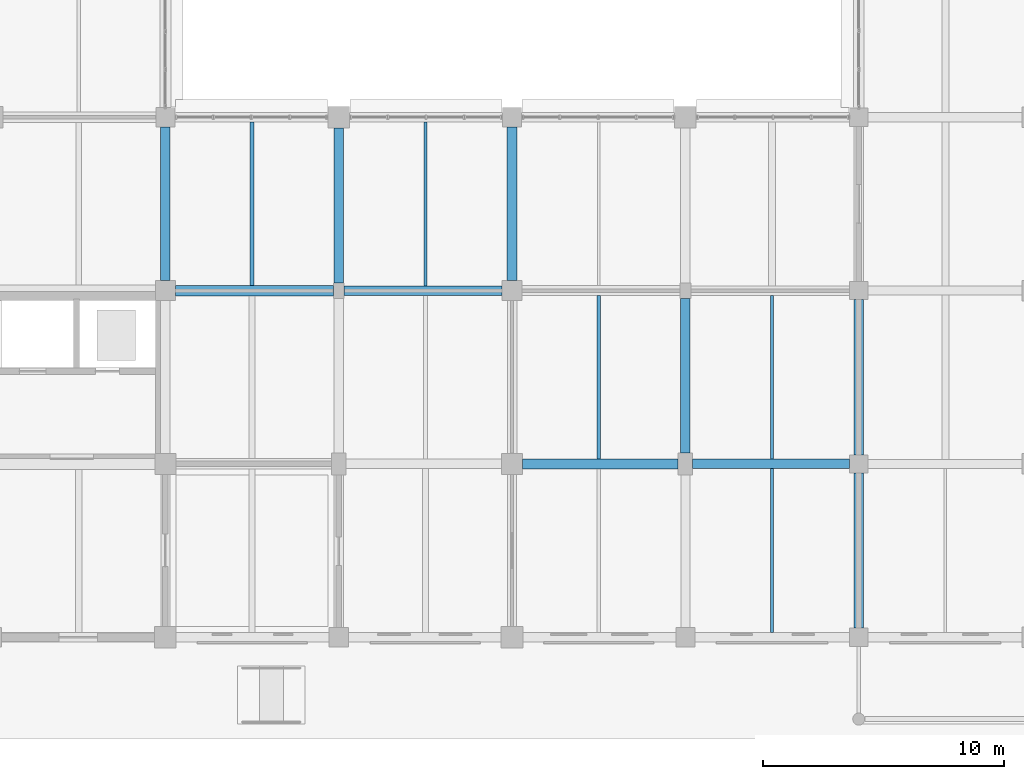
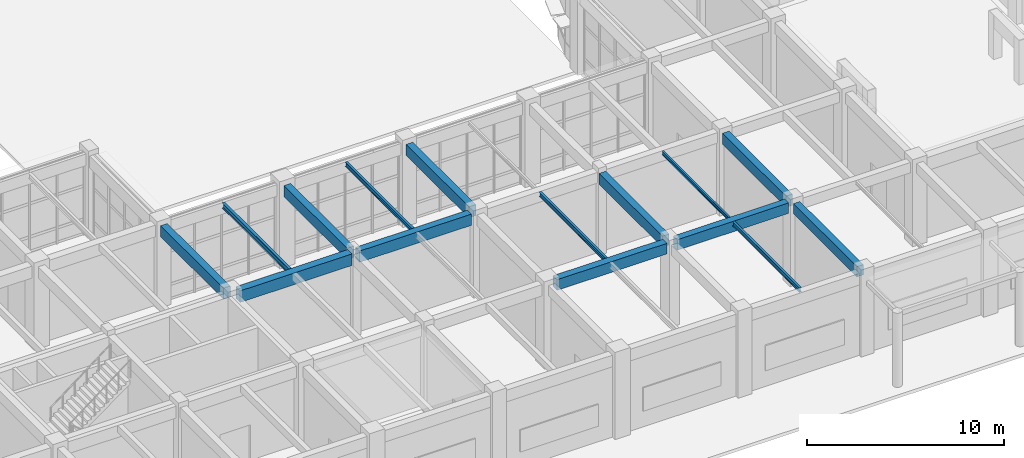
# One storey, part 16 of 160: 15 beams.
"""IFC4 building model written with IfcOpenShell, lengths in metres."""

from ifc_helpers import new_model, si_unit, direction, frame, origin, origin_2d, place, context, subcontext, project, spatial, rectangle, i_section, extrude, material, material_profile, profile_set, type_object, element, save


model = new_model("IFC4")

# Units and contexts
model_context = context("Model", 3, precision=1e-05, world=origin(), true_north=direction((0.0, 1.0)))
body_context = subcontext(model_context, "Body", "Model", "MODEL_VIEW")
ifc_project = project(units=[si_unit("LENGTHUNIT", "METRE"), si_unit("AREAUNIT", "SQUARE_METRE"), si_unit("VOLUMEUNIT", "CUBIC_METRE"), si_unit("PLANEANGLEUNIT", "RADIAN"), si_unit("MASSUNIT", "GRAM", prefix="KILO")], contexts=[model_context])

# Site, building, storey
site_placement = place(None, origin())
site = spatial("IfcSite", under=ifc_project, at=site_placement, CompositionType="ELEMENT")
building_placement = place(site_placement, origin())
building = spatial("IfcBuilding", under=site, at=building_placement, Name="Thalmaran Polytechnic", CompositionType="ELEMENT")
storey_placement = place(building_placement, origin())
storey = spatial("IfcBuildingStorey", under=building, at=storey_placement, Name="L00", CompositionType="ELEMENT", Elevation=0.0)

# Beams
ifc_material_1 = material(Name="Concrete C40/50", Category="concrete")
ifc_material_profile_1 = material_profile(ifc_material_1, rectangle(XDim=0.39990234375, YDim=0.699951171875, at=origin_2d()), Name="RC 400x700")
ifc_profile_set_1 = profile_set([ifc_material_profile_1], Name="Concrete C40/50")
beam_type_1 = type_object("IfcBeamType", Name="BM-RC05", PredefinedType="BEAM", material=ifc_profile_set_1)
beam_1_placement = place(storey_placement, frame((36.22509765625, 14.39990234375, 4.739990234375), z_axis=(1.0, 0.0, 0.0), x_axis=(0.0, 1.0, 0.0)))
element("IfcBeam", 1, at=beam_1_placement, inside=storey, type_object=beam_type_1, Name="Grid Beam B05 L00 X(5,2)", PredefinedType="BEAM", context=body_context, shape_type="SweptSolid", body=[
    extrude(rectangle(XDim=0.39990234375, YDim=0.699951171875, at=origin_2d()), origin(), (0.0, 0.0, 1.0), 6.56494140625),
])
ifc_material_profile_2 = material_profile(ifc_material_1, rectangle(XDim=0.39990234375, YDim=0.64990234375, at=origin_2d()), Name="RC 400x650")
ifc_profile_set_2 = profile_set([ifc_material_profile_2], Name="Concrete C40/50")
beam_type_2 = type_object("IfcBeamType", Name="BM-RC06", PredefinedType="BEAM", material=ifc_profile_set_2)
beam_2_placement = place(storey_placement, frame((50.699951171875, 7.199951171875, 4.764892578125), z_axis=(1.0, 0.0, 0.0), x_axis=(0.0, 1.0, 0.0)))
element("IfcBeam", 2, at=beam_2_placement, inside=storey, type_object=beam_type_2, Name="Grid Beam B06 L00 X(7,1)", PredefinedType="BEAM", context=body_context, shape_type="SweptSolid", body=[
    extrude(rectangle(XDim=0.39990234375, YDim=0.64990234375, at=origin_2d()), origin(), (0.0, 0.0, 1.0), 6.525146484375),
])
ifc_material_profile_3 = material_profile(ifc_material_1, rectangle(XDim=0.389892578125, YDim=0.68505859375, at=origin_2d()), Name="RC 390x685")
ifc_profile_set_3 = profile_set([ifc_material_profile_3], Name="Concrete C40/50")
beam_type_3 = type_object("IfcBeamType", Name="BM-RC08", PredefinedType="BEAM", material=ifc_profile_set_3)
beam_3_placement = place(storey_placement, frame((50.39990234375, 7.64990234375, 4.74755859375), z_axis=(0.0, 1.0, 0.0), x_axis=(-1.0, 0.0, 0.0)))
element("IfcBeam", 3, at=beam_3_placement, inside=storey, type_object=beam_type_3, Name="Grid Beam B08 L00 Y(7,1)", PredefinedType="BEAM", context=body_context, shape_type="SweptSolid", body=[
    extrude(rectangle(XDim=0.389892578125, YDim=0.68505859375, at=origin_2d()), origin(), (0.0, 0.0, 1.0), 6.425048828125),
])
beam_4_placement = place(storey_placement, frame((57.60009765625, 7.574951171875, 4.74755859375), z_axis=(0.0, 1.0, 0.0), x_axis=(-1.0, 0.0, 0.0)))
element("IfcBeam", 4, at=beam_4_placement, inside=storey, type_object=beam_type_3, Name="Grid Beam B08 L00 Y(8,1)", PredefinedType="BEAM", context=body_context, shape_type="SweptSolid", body=[
    extrude(rectangle(XDim=0.389892578125, YDim=0.68505859375, at=origin_2d()), origin(), (0.0, 0.0, 1.0), 6.449951171875),
])
ifc_material_2 = material(Name="Steel S355", Category="steel")
ifc_material_profile_4 = material_profile(ifc_material_2, i_section(OverallWidth=0.159912109375, OverallDepth=0.330078125, WebThickness=0.007568359375, FlangeThickness=0.011474609375, at=origin_2d()), Name="IPE 330")
ifc_profile_set_4 = profile_set([ifc_material_profile_4], Name="Steel S355")
beam_type_4 = type_object("IfcBeamType", Name="BM-SJ02", PredefinedType="JOIST", material=ifc_profile_set_4)
beam_5_placement = place(storey_placement, frame((32.39990234375, 14.6201171875, 4.925048828125), z_axis=(0.0, 1.0, 0.0), x_axis=(-1.0, 0.0, 0.0)))
element("IfcBeam", 5, at=beam_5_placement, inside=storey, type_object=beam_type_4, Name="Secondary Floor Rib SJ02 L00 (4,2)", PredefinedType="JOIST", context=body_context, shape_type="SweptSolid", body=[
    extrude(i_section(OverallWidth=0.159912109375, OverallDepth=0.330078125, WebThickness=0.007568359375, FlangeThickness=0.011474609375, at=origin_2d()), origin(), (0.0, 0.0, 1.0), 6.77978515625),
])
ifc_material_profile_5 = material_profile(ifc_material_2, i_section(OverallWidth=0.135009765625, OverallDepth=0.27001953125, WebThickness=0.006591796875, FlangeThickness=0.01025390625, at=origin_2d()), Name="IPE 270")
ifc_profile_set_5 = profile_set([ifc_material_profile_5], Name="Steel S355")
beam_type_5 = type_object("IfcBeamType", Name="BM-SJ03", PredefinedType="JOIST", material=ifc_profile_set_5)
beam_6_placement = place(storey_placement, frame((39.60009765625, 14.60009765625, 4.955078125), z_axis=(0.0, 1.0, 0.0), x_axis=(-1.0, 0.0, 0.0)))
element("IfcBeam", 6, at=beam_6_placement, inside=storey, type_object=beam_type_5, Name="Secondary Floor Rib SJ03 L00 (5,2)", PredefinedType="JOIST", context=body_context, shape_type="SweptSolid", body=[
    extrude(i_section(OverallWidth=0.135009765625, OverallDepth=0.27001953125, WebThickness=0.006591796875, FlangeThickness=0.01025390625, at=origin_2d()), origin(), (0.0, 0.0, 1.0), 6.7998046875),
])
beam_7_placement = place(storey_placement, frame((46.800048828125, 7.409912109375, 4.955078125), z_axis=(0.0, 1.0, 0.0), x_axis=(-1.0, 0.0, 0.0)))
element("IfcBeam", 7, at=beam_7_placement, inside=storey, type_object=beam_type_5, Name="Secondary Floor Rib SJ03 L00 (6,1)", PredefinedType="JOIST", context=body_context, shape_type="SweptSolid", body=[
    extrude(i_section(OverallWidth=0.135009765625, OverallDepth=0.27001953125, WebThickness=0.006591796875, FlangeThickness=0.01025390625, at=origin_2d()), origin(), (0.0, 0.0, 1.0), 6.780029296875),
])
beam_8_placement = place(storey_placement, frame((54.0, 0.199951171875, 4.955078125), z_axis=(0.0, 1.0, 0.0), x_axis=(-1.0, 0.0, 0.0)))
element("IfcBeam", 8, at=beam_8_placement, inside=storey, type_object=beam_type_5, Name="Secondary Floor Rib SJ03 L00 (7,0)", PredefinedType="JOIST", context=body_context, shape_type="SweptSolid", body=[
    extrude(i_section(OverallWidth=0.135009765625, OverallDepth=0.27001953125, WebThickness=0.006591796875, FlangeThickness=0.01025390625, at=origin_2d()), origin(), (0.0, 0.0, 1.0), 6.800048828125),
])
ifc_material_profile_6 = material_profile(ifc_material_2, i_section(OverallWidth=0.110107421875, OverallDepth=0.219970703125, WebThickness=0.005859375, FlangeThickness=0.00927734375, at=origin_2d()), Name="IPE 220")
ifc_profile_set_6 = profile_set([ifc_material_profile_6], Name="Steel S355")
beam_type_6 = type_object("IfcBeamType", Name="BM-SJ04", PredefinedType="JOIST", material=ifc_profile_set_6)
beam_9_placement = place(storey_placement, frame((54.0, 7.39990234375, 4.97998046875), z_axis=(0.0, 1.0, 0.0), x_axis=(-1.0, 0.0, 0.0)))
element("IfcBeam", 9, at=beam_9_placement, inside=storey, type_object=beam_type_6, Name="Secondary Floor Rib SJ04 L00 (7,1)", PredefinedType="JOIST", context=body_context, shape_type="SweptSolid", body=[
    extrude(i_section(OverallWidth=0.110107421875, OverallDepth=0.219970703125, WebThickness=0.005859375, FlangeThickness=0.00927734375, at=origin_2d()), origin(), (0.0, 0.0, 1.0), 6.800048828125),
])
ifc_material_profile_7 = material_profile(ifc_material_1, rectangle(XDim=0.43994140625, YDim=0.719970703125, at=origin_2d()), Name="RC 440x720")
ifc_profile_set_7 = profile_set([ifc_material_profile_7], Name="Concrete C40/50")
beam_type_7 = type_object("IfcBeamType", Name="BM-ZB03", PredefinedType="BEAM", material=ifc_profile_set_7)
beam_10_placement = place(storey_placement, frame((29.2099609375, 14.39990234375, 4.72998046875), z_axis=(1.0, 0.0, 0.0), x_axis=(0.0, 1.0, 0.0)))
element("IfcBeam", 10, at=beam_10_placement, inside=storey, type_object=beam_type_7, Name="Grid Beam ZB03 L00 X(4,2)", PredefinedType="BEAM", context=body_context, shape_type="SweptSolid", body=[
    extrude(rectangle(XDim=0.43994140625, YDim=0.719970703125, at=origin_2d()), origin(), (0.0, 0.0, 1.0), 6.56494140625),
])
ifc_material_profile_8 = material_profile(ifc_material_1, rectangle(XDim=0.419921875, YDim=0.659912109375, at=origin_2d()), Name="RC 420x660")
ifc_profile_set_8 = profile_set([ifc_material_profile_8], Name="Concrete C40/50")
beam_type_8 = type_object("IfcBeamType", Name="BM-ZB04", PredefinedType="BEAM", material=ifc_profile_set_8)
beam_11_placement = place(storey_placement, frame((43.639892578125, 7.199951171875, 4.760009765625), z_axis=(1.0, 0.0, 0.0), x_axis=(0.0, 1.0, 0.0)))
element("IfcBeam", 11, at=beam_11_placement, inside=storey, type_object=beam_type_8, Name="Grid Beam ZB04 L00 X(6,1)", PredefinedType="BEAM", context=body_context, shape_type="SweptSolid", body=[
    extrude(rectangle(XDim=0.419921875, YDim=0.659912109375, at=origin_2d()), origin(), (0.0, 0.0, 1.0), 6.460205078125),
])
ifc_material_profile_9 = material_profile(ifc_material_1, rectangle(XDim=0.3798828125, YDim=0.635009765625, at=origin_2d()), Name="RC 380x635")
ifc_profile_set_9 = profile_set([ifc_material_profile_9], Name="Concrete C40/50")
beam_type_9 = type_object("IfcBeamType", Name="BM-ZB06", PredefinedType="BEAM", material=ifc_profile_set_9)
beam_12_placement = place(storey_placement, frame((57.60009765625, 0.375, 4.7724609375), z_axis=(0.0, 1.0, 0.0), x_axis=(-1.0, 0.0, 0.0)))
element("IfcBeam", 12, at=beam_12_placement, inside=storey, type_object=beam_type_9, Name="Grid Beam ZB06 L00 Y(8,0)", PredefinedType="BEAM", context=body_context, shape_type="SweptSolid", body=[
    extrude(rectangle(XDim=0.3798828125, YDim=0.635009765625, at=origin_2d()), origin(), (0.0, 0.0, 1.0), 6.449951171875),
])
ifc_material_profile_10 = material_profile(ifc_material_1, rectangle(XDim=0.39990234375, YDim=0.68505859375, at=origin_2d()), Name="RC 400x685")
ifc_profile_set_10 = profile_set([ifc_material_profile_10], Name="Concrete C40/50")
beam_type_10 = type_object("IfcBeamType", Name="BM-ZB07", PredefinedType="BEAM", material=ifc_profile_set_10)
beam_13_placement = place(storey_placement, frame((28.800048828125, 14.81005859375, 4.74755859375), z_axis=(0.0, 1.0, 0.0), x_axis=(-1.0, 0.0, 0.0)))
element("IfcBeam", 13, at=beam_13_placement, inside=storey, type_object=beam_type_10, Name="Grid Beam ZB07 L00 Y(4,2)", PredefinedType="BEAM", context=body_context, shape_type="SweptSolid", body=[
    extrude(rectangle(XDim=0.39990234375, YDim=0.68505859375, at=origin_2d()), origin(), (0.0, 0.0, 1.0), 6.389892578125),
])
beam_14_placement = place(storey_placement, frame((36.0, 14.72509765625, 4.74755859375), z_axis=(0.0, 1.0, 0.0), x_axis=(-1.0, 0.0, 0.0)))
element("IfcBeam", 14, at=beam_14_placement, inside=storey, type_object=beam_type_10, Name="Grid Beam ZB07 L00 Y(5,2)", PredefinedType="BEAM", context=body_context, shape_type="SweptSolid", body=[
    extrude(rectangle(XDim=0.39990234375, YDim=0.68505859375, at=origin_2d()), origin(), (0.0, 0.0, 1.0), 6.4248046875),
])
beam_15_placement = place(storey_placement, frame((43.199951171875, 14.81005859375, 4.74755859375), z_axis=(0.0, 1.0, 0.0), x_axis=(-1.0, 0.0, 0.0)))
element("IfcBeam", 15, at=beam_15_placement, inside=storey, type_object=beam_type_10, Name="Grid Beam ZB07 L00 Y(6,2)", PredefinedType="BEAM", context=body_context, shape_type="SweptSolid", body=[
    extrude(rectangle(XDim=0.39990234375, YDim=0.68505859375, at=origin_2d()), origin(), (0.0, 0.0, 1.0), 6.389892578125),
])

save(model, "model.ifc")
